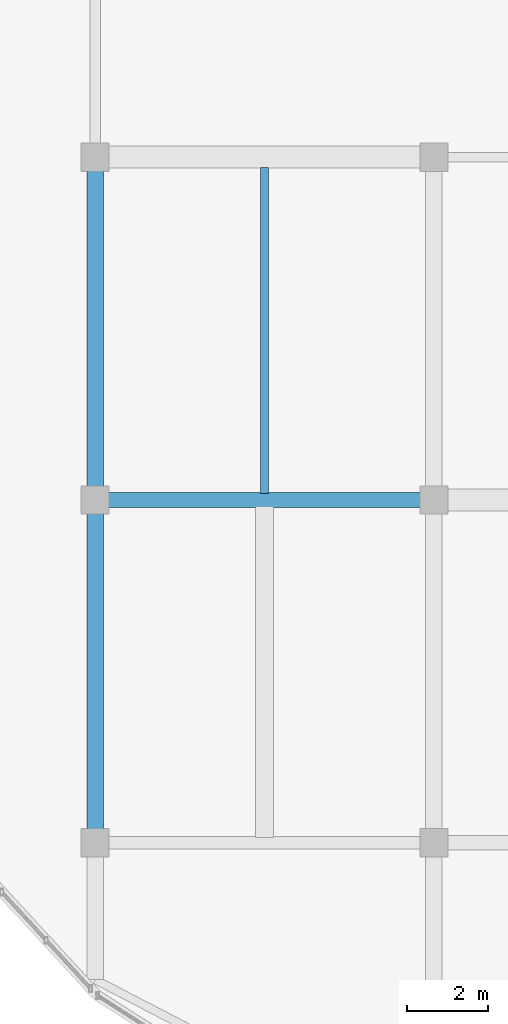
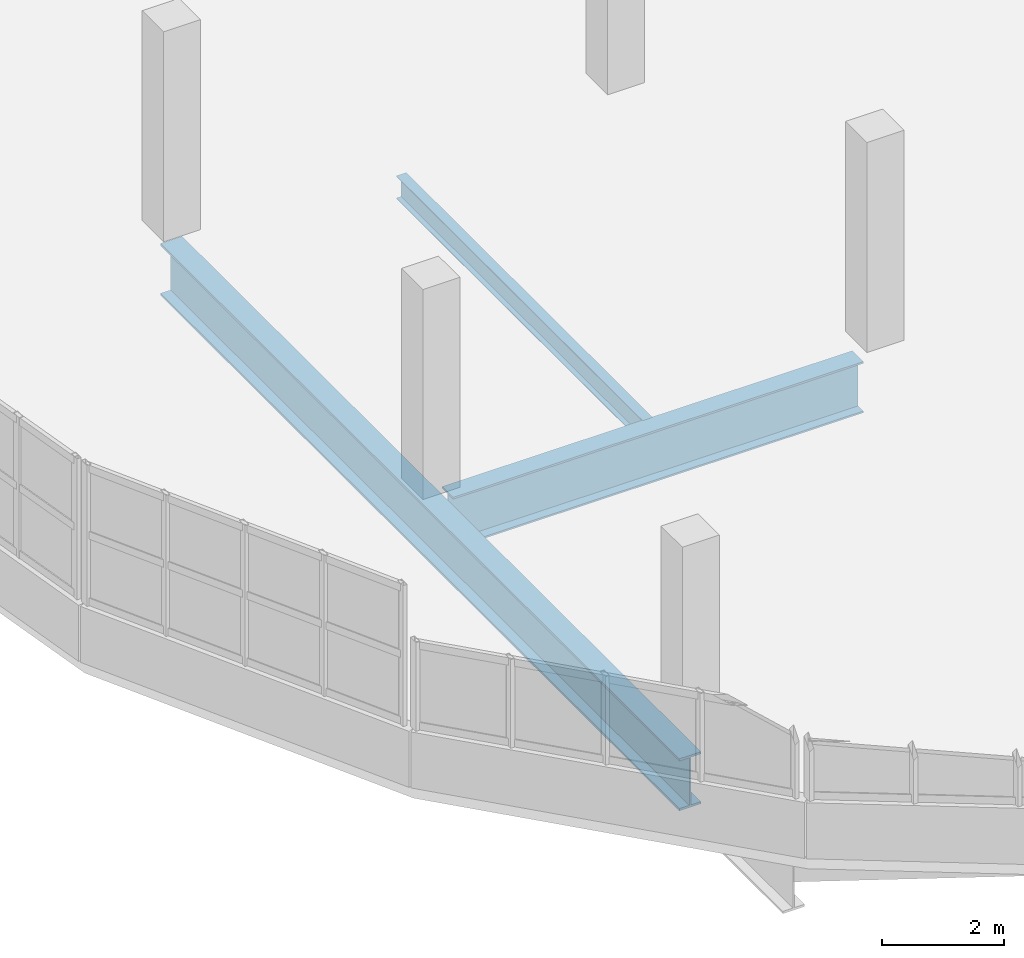
# One storey, part 10 of 52: 3 beams.
"""IFC4 building model written with IfcOpenShell, lengths in metres."""

from ifc_helpers import new_model, si_unit, direction, frame, origin, origin_2d, place, context, subcontext, project, spatial, i_section, extrude, material, material_profile, profile_set, type_object, element, save


model = new_model("IFC4")

# Units and contexts
model_context = context("Model", 3, precision=1e-05, world=origin(), true_north=direction((0.0, 1.0)))
body_context = subcontext(model_context, "Body", "Model", "MODEL_VIEW")
ifc_project = project(units=[si_unit("LENGTHUNIT", "METRE"), si_unit("AREAUNIT", "SQUARE_METRE"), si_unit("VOLUMEUNIT", "CUBIC_METRE"), si_unit("PLANEANGLEUNIT", "RADIAN"), si_unit("MASSUNIT", "GRAM", prefix="KILO")], contexts=[model_context])

# Site, building, storey
site_placement = place(None, origin())
site = spatial("IfcSite", under=ifc_project, at=site_placement, CompositionType="ELEMENT")
building_placement = place(site_placement, origin())
building = spatial("IfcBuilding", under=site, at=building_placement, Name="Solvento Point Concert Hall", CompositionType="ELEMENT")
storey_placement = place(building_placement, frame((0.0, 0.0, 19.5)))
storey = spatial("IfcBuildingStorey", under=building, at=storey_placement, Name="L04", CompositionType="ELEMENT", Elevation=19.5)

# Beams
ifc_material_1 = material(Name="Structural Steel ASTM A992 Grade 50", Category="steel")
ifc_material_profile_1 = material_profile(ifc_material_1, i_section(OverallWidth=0.408935546875, OverallDepth=1.041015625, WebThickness=0.031005859375, FlangeThickness=0.04443359375, at=origin_2d()), Name="W40X397")
ifc_profile_set_1 = profile_set([ifc_material_profile_1], Name="Structural Steel ASTM A992 Grade 50")
beam_type_1 = type_object("IfcBeamType", Name="CantileverGirder_W40X397", PredefinedType="USERDEFINED", material=ifc_profile_set_1)
beam_1_placement = place(storey_placement, frame((40.800048828125, 34.0, -0.8154296875), z_axis=(0.0, -1.0, 0.0), x_axis=(1.0, 0.0, 0.0)))
element("IfcBeam", 1, at=beam_1_placement, inside=storey, type_object=beam_type_1, Name="Radial back-span girder CG-01 L04", ObjectType="GIRDER", PredefinedType="USERDEFINED", context=body_context, shape_type="SweptSolid", body=[
    extrude(i_section(OverallWidth=0.408935546875, OverallDepth=1.041015625, WebThickness=0.031005859375, FlangeThickness=0.04443359375, at=origin_2d()), origin(), (0.0, 0.0, 1.0), 17.0),
])
ifc_material_2 = material(Name="Structural Steel ASTM A992 Grade 50", Category="steel")
ifc_material_profile_2 = material_profile(ifc_material_2, i_section(OverallWidth=0.361083984375, OverallDepth=1.02587890625, WebThickness=0.01904296875, FlangeThickness=0.0361328125, at=origin_2d()), Name="W40X249")
ifc_profile_set_2 = profile_set([ifc_material_profile_2], Name="Structural Steel ASTM A992 Grade 50")
beam_type_2 = type_object("IfcBeamType", Name="Girder_W40X249", PredefinedType="USERDEFINED", material=ifc_profile_set_2)
beam_2_placement = place(storey_placement, frame((41.118896484375, 25.5, -0.806884765625), z_axis=(1.0, 0.0, 0.0), x_axis=(0.0, 1.0, 0.0)))
element("IfcBeam", 2, at=beam_2_placement, inside=storey, type_object=beam_type_2, Name="Primary girder B-29 L04", ObjectType="GIRDER", PredefinedType="USERDEFINED", context=body_context, shape_type="SweptSolid", body=[
    extrude(i_section(OverallWidth=0.361083984375, OverallDepth=1.02587890625, WebThickness=0.01904296875, FlangeThickness=0.0361328125, at=origin_2d()), origin(), (0.0, 0.0, 1.0), 7.76220703125),
])
ifc_material_3 = material(Name="Structural Steel ASTM A992 Grade 50", Category="steel")
ifc_material_profile_3 = material_profile(ifc_material_3, i_section(OverallWidth=0.1904296875, OverallDepth=0.45703125, WebThickness=0.009033203125, FlangeThickness=0.014404296875, at=origin_2d()), Name="W18X50")
ifc_profile_set_3 = profile_set([ifc_material_profile_3], Name="Structural Steel ASTM A992 Grade 50")
beam_type_3 = type_object("IfcBeamType", Name="Joist_W18X50", PredefinedType="JOIST", material=ifc_profile_set_3)
beam_3_placement = place(storey_placement, frame((45.0, 25.66552734375, -0.5224609375), z_axis=(0.0, 1.0, 0.0), x_axis=(-1.0, 0.0, 0.0)))
element("IfcBeam", 3, at=beam_3_placement, inside=storey, type_object=beam_type_3, Name="Secondary floor joist B-66 L04", PredefinedType="JOIST", context=body_context, shape_type="SweptSolid", body=[
    extrude(i_section(OverallWidth=0.1904296875, OverallDepth=0.45703125, WebThickness=0.009033203125, FlangeThickness=0.014404296875, at=origin_2d()), origin(), (0.0, 0.0, 1.0), 8.074462890625),
])

save(model, "model.ifc")
